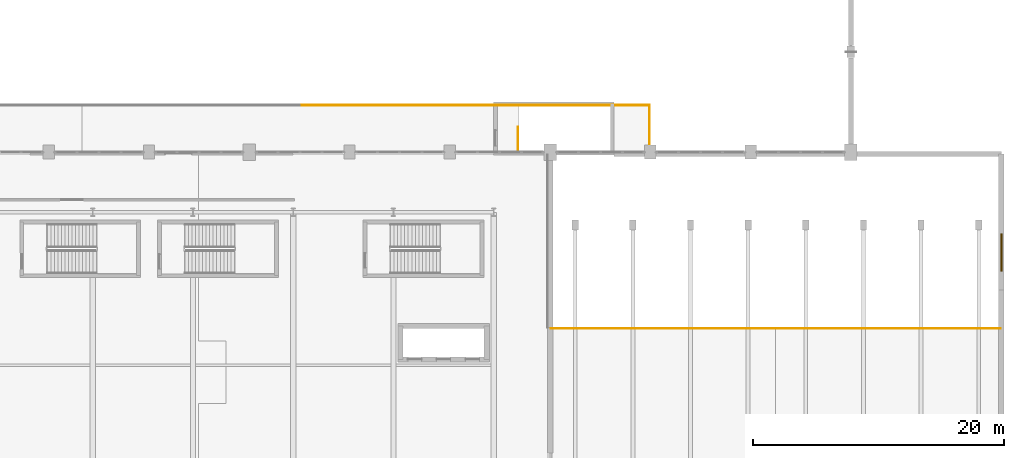
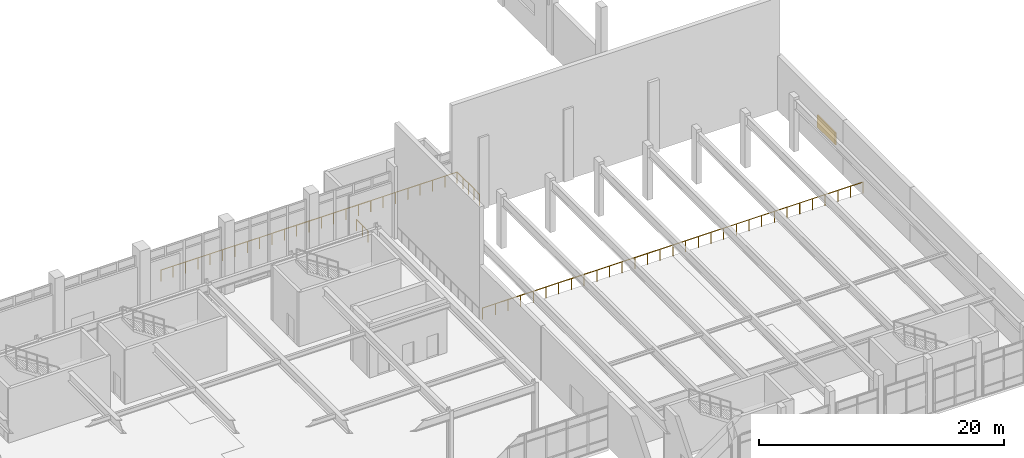
# One storey, part 84 of 84: 3 railings, 1 shading device.
"""IFC4 building model written with IfcOpenShell, lengths in metres."""

from ifc_helpers import new_model, si_unit, direction, frame, origin, origin_2d, place, context, subcontext, project, spatial, rectangle, circle, extrude, material, layer, layer_set, type_object, element, save


model = new_model("IFC4")

# Units and contexts
model_context = context("Model", 3, precision=1e-05, world=origin(), true_north=direction((0.0, 1.0)))
body_context = subcontext(model_context, "Body", "Model", "MODEL_VIEW")
ifc_project = project(units=[si_unit("LENGTHUNIT", "METRE"), si_unit("AREAUNIT", "SQUARE_METRE"), si_unit("VOLUMEUNIT", "CUBIC_METRE"), si_unit("PLANEANGLEUNIT", "RADIAN"), si_unit("MASSUNIT", "GRAM", prefix="KILO")], contexts=[model_context])

# Site, building, storey
site_placement = place(None, origin())
site = spatial("IfcSite", under=ifc_project, at=site_placement, CompositionType="ELEMENT")
building_placement = place(site_placement, origin())
building = spatial("IfcBuilding", under=site, at=building_placement, Name="Tlacozan Convention Centre", CompositionType="ELEMENT")
storey_placement = place(building_placement, frame((0.0, 0.0, 6.0)))
storey = spatial("IfcBuildingStorey", under=building, at=storey_placement, Name="L01", CompositionType="ELEMENT", Elevation=6.0)

# Shading device
ifc_material_1 = material(Name="Dark Bronze Anodised Aluminium", Category="aluminium")
ifc_layer = layer(ifc_material_1, 0.1201171875)
ifc_layer_set = layer_set([ifc_layer], Name="Dark Bronze Anodised Aluminium")
shading_device_type = type_object("IfcShadingDeviceType", Name="Acoustic Plant Louvre Bank", PredefinedType="JALOUSIE", material=ifc_layer_set)
shading_device_placement = place(storey_placement, frame((180.0, 54.0, 2.0), z_axis=(0.0, 0.0, 1.0), x_axis=(0.0, 1.0, 0.0)))
element("IfcShadingDevice", 1, at=shading_device_placement, inside=storey, type_object=shading_device_type, Name="L01 Acoustic Plant Louvre 9", PredefinedType="JALOUSIE", context=body_context, shape_type="SweptSolid", body=[
    extrude(rectangle(XDim=3.0, YDim=0.1201171875, at=origin_2d()), origin(), (0.0, 0.0, 1.0), 1.199951171875),
])

# Railings
ifc_material_2 = material(Name="Architectural Painted Galvanised Steel Railing", Category="steel")
railing_type_1 = type_object("IfcRailingType", Name="Mezzanine Glass Balustrade 1120", PredefinedType="BALUSTRADE", material=ifc_material_2)
railing_1_placement = place(storey_placement, frame((124.0, 65.739990234375, 0.0)))
element("IfcRailing", 2, at=railing_1_placement, inside=storey, type_object=railing_type_1, Name="L01 Viewing Mezzanine Balustrade 5", PredefinedType="BALUSTRADE", context=body_context, shape_type="SweptSolid", body=[
    extrude(circle(Radius=0.02392578125, at=origin_2d()), frame((0.0, 0.0, 1.09619140625), z_axis=(1.0, 0.0, 0.0), x_axis=(0.0, 1.0, 0.0)), (0.0, 0.0, 1.0), 27.93994140625),
    extrude(circle(Radius=0.02392578125, at=origin_2d()), frame((27.93994140625, 0.0, 1.09619140625), z_axis=(0.0, -1.0, 0.0), x_axis=(1.0, 0.0, 0.0)), (0.0, 0.0, 1.0), 3.679931640625),
    extrude(circle(Radius=0.02099609375, at=origin_2d()), origin(), (0.0, 0.0, 1.0), 1.072021484375),
    extrude(circle(Radius=0.02099609375, at=origin_2d()), frame((1.1640625, 0.0, 0.0)), (0.0, 0.0, 1.0), 1.072021484375),
    extrude(circle(Radius=0.02099609375, at=origin_2d()), frame((2.328369140625, 0.0, 0.0)), (0.0, 0.0, 1.0), 1.072021484375),
    extrude(circle(Radius=0.02099609375, at=origin_2d()), frame((3.492431640625, 0.0, 0.0)), (0.0, 0.0, 1.0), 1.072021484375),
    extrude(circle(Radius=0.02099609375, at=origin_2d()), frame((4.65673828125, 0.0, 0.0)), (0.0, 0.0, 1.0), 1.072021484375),
    extrude(circle(Radius=0.02099609375, at=origin_2d()), frame((5.82080078125, 0.0, 0.0)), (0.0, 0.0, 1.0), 1.072021484375),
    extrude(circle(Radius=0.02099609375, at=origin_2d()), frame((6.98486328125, 0.0, 0.0)), (0.0, 0.0, 1.0), 1.072021484375),
    extrude(circle(Radius=0.02099609375, at=origin_2d()), frame((8.149169921875, 0.0, 0.0)), (0.0, 0.0, 1.0), 1.072021484375),
    extrude(circle(Radius=0.02099609375, at=origin_2d()), frame((9.313232421875, 0.0, 0.0)), (0.0, 0.0, 1.0), 1.072021484375),
    extrude(circle(Radius=0.02099609375, at=origin_2d()), frame((10.4775390625, 0.0, 0.0)), (0.0, 0.0, 1.0), 1.072021484375),
    extrude(circle(Radius=0.02099609375, at=origin_2d()), frame((11.6416015625, 0.0, 0.0)), (0.0, 0.0, 1.0), 1.072021484375),
    extrude(circle(Radius=0.02099609375, at=origin_2d()), frame((12.805908203125, 0.0, 0.0)), (0.0, 0.0, 1.0), 1.072021484375),
    extrude(circle(Radius=0.02099609375, at=origin_2d()), frame((13.969970703125, 0.0, 0.0)), (0.0, 0.0, 1.0), 1.072021484375),
    extrude(circle(Radius=0.02099609375, at=origin_2d()), frame((15.134033203125, 0.0, 0.0)), (0.0, 0.0, 1.0), 1.072021484375),
    extrude(circle(Radius=0.02099609375, at=origin_2d()), frame((16.29833984375, 0.0, 0.0)), (0.0, 0.0, 1.0), 1.072021484375),
    extrude(circle(Radius=0.02099609375, at=origin_2d()), frame((17.46240234375, 0.0, 0.0)), (0.0, 0.0, 1.0), 1.072021484375),
    extrude(circle(Radius=0.02099609375, at=origin_2d()), frame((18.626708984375, 0.0, 0.0)), (0.0, 0.0, 1.0), 1.072021484375),
    extrude(circle(Radius=0.02099609375, at=origin_2d()), frame((19.790771484375, 0.0, 0.0)), (0.0, 0.0, 1.0), 1.072021484375),
    extrude(circle(Radius=0.02099609375, at=origin_2d()), frame((20.955078125, 0.0, 0.0)), (0.0, 0.0, 1.0), 1.072021484375),
    extrude(circle(Radius=0.02099609375, at=origin_2d()), frame((22.119140625, 0.0, 0.0)), (0.0, 0.0, 1.0), 1.072021484375),
    extrude(circle(Radius=0.02099609375, at=origin_2d()), frame((23.283203125, 0.0, 0.0)), (0.0, 0.0, 1.0), 1.072021484375),
    extrude(circle(Radius=0.02099609375, at=origin_2d()), frame((24.447509765625, 0.0, 0.0)), (0.0, 0.0, 1.0), 1.072021484375),
    extrude(circle(Radius=0.02099609375, at=origin_2d()), frame((25.611572265625, 0.0, 0.0)), (0.0, 0.0, 1.0), 1.072021484375),
    extrude(circle(Radius=0.02099609375, at=origin_2d()), frame((26.77587890625, 0.0, 0.0)), (0.0, 0.0, 1.0), 1.072021484375),
    extrude(circle(Radius=0.02099609375, at=origin_2d()), frame((27.93994140625, 0.0, 0.0)), (0.0, 0.0, 1.0), 1.072021484375),
    extrude(circle(Radius=0.02099609375, at=origin_2d()), frame((27.93994140625, -0.919921875, 0.0)), (0.0, 0.0, 1.0), 1.072021484375),
    extrude(circle(Radius=0.02099609375, at=origin_2d()), frame((27.93994140625, -1.83984375, 0.0)), (0.0, 0.0, 1.0), 1.072021484375),
    extrude(circle(Radius=0.02099609375, at=origin_2d()), frame((27.93994140625, -2.760009765625, 0.0)), (0.0, 0.0, 1.0), 1.072021484375),
    extrude(circle(Radius=0.02099609375, at=origin_2d()), frame((27.93994140625, -3.679931640625, 0.0)), (0.0, 0.0, 1.0), 1.072021484375),
])
railing_2_placement = place(storey_placement, frame((144.06005859375, 47.93994140625, 0.0)))
element("IfcRailing", 3, at=railing_2_placement, inside=storey, type_object=railing_type_1, Name="L01 Plenary Circle Front Balustrade", PredefinedType="BALUSTRADE", context=body_context, shape_type="SweptSolid", body=[
    extrude(circle(Radius=0.02392578125, at=origin_2d()), frame((0.0, 0.0, 1.09619140625), z_axis=(1.0, 0.0, 0.0), x_axis=(0.0, 1.0, 0.0)), (0.0, 0.0, 1.0), 35.8798828125),
    extrude(circle(Radius=0.02099609375, at=origin_2d()), origin(), (0.0, 0.0, 1.0), 1.072021484375),
    extrude(circle(Radius=0.02099609375, at=origin_2d()), frame((1.196044921875, 0.0, 0.0)), (0.0, 0.0, 1.0), 1.072021484375),
    extrude(circle(Radius=0.02099609375, at=origin_2d()), frame((2.39208984375, 0.0, 0.0)), (0.0, 0.0, 1.0), 1.072021484375),
    extrude(circle(Radius=0.02099609375, at=origin_2d()), frame((3.587890625, 0.0, 0.0)), (0.0, 0.0, 1.0), 1.072021484375),
    extrude(circle(Radius=0.02099609375, at=origin_2d()), frame((4.783935546875, 0.0, 0.0)), (0.0, 0.0, 1.0), 1.072021484375),
    extrude(circle(Radius=0.02099609375, at=origin_2d()), frame((5.97998046875, 0.0, 0.0)), (0.0, 0.0, 1.0), 1.072021484375),
    extrude(circle(Radius=0.02099609375, at=origin_2d()), frame((7.176025390625, 0.0, 0.0)), (0.0, 0.0, 1.0), 1.072021484375),
    extrude(circle(Radius=0.02099609375, at=origin_2d()), frame((8.3720703125, 0.0, 0.0)), (0.0, 0.0, 1.0), 1.072021484375),
    extrude(circle(Radius=0.02099609375, at=origin_2d()), frame((9.56787109375, 0.0, 0.0)), (0.0, 0.0, 1.0), 1.072021484375),
    extrude(circle(Radius=0.02099609375, at=origin_2d()), frame((10.763916015625, 0.0, 0.0)), (0.0, 0.0, 1.0), 1.072021484375),
    extrude(circle(Radius=0.02099609375, at=origin_2d()), frame((11.9599609375, 0.0, 0.0)), (0.0, 0.0, 1.0), 1.072021484375),
    extrude(circle(Radius=0.02099609375, at=origin_2d()), frame((13.156005859375, 0.0, 0.0)), (0.0, 0.0, 1.0), 1.072021484375),
    extrude(circle(Radius=0.02099609375, at=origin_2d()), frame((14.35205078125, 0.0, 0.0)), (0.0, 0.0, 1.0), 1.072021484375),
    extrude(circle(Radius=0.02099609375, at=origin_2d()), frame((15.5478515625, 0.0, 0.0)), (0.0, 0.0, 1.0), 1.072021484375),
    extrude(circle(Radius=0.02099609375, at=origin_2d()), frame((16.743896484375, 0.0, 0.0)), (0.0, 0.0, 1.0), 1.072021484375),
    extrude(circle(Radius=0.02099609375, at=origin_2d()), frame((17.93994140625, 0.0, 0.0)), (0.0, 0.0, 1.0), 1.072021484375),
    extrude(circle(Radius=0.02099609375, at=origin_2d()), frame((19.135986328125, 0.0, 0.0)), (0.0, 0.0, 1.0), 1.072021484375),
    extrude(circle(Radius=0.02099609375, at=origin_2d()), frame((20.33203125, 0.0, 0.0)), (0.0, 0.0, 1.0), 1.072021484375),
    extrude(circle(Radius=0.02099609375, at=origin_2d()), frame((21.52783203125, 0.0, 0.0)), (0.0, 0.0, 1.0), 1.072021484375),
    extrude(circle(Radius=0.02099609375, at=origin_2d()), frame((22.723876953125, 0.0, 0.0)), (0.0, 0.0, 1.0), 1.072021484375),
    extrude(circle(Radius=0.02099609375, at=origin_2d()), frame((23.919921875, 0.0, 0.0)), (0.0, 0.0, 1.0), 1.072021484375),
    extrude(circle(Radius=0.02099609375, at=origin_2d()), frame((25.115966796875, 0.0, 0.0)), (0.0, 0.0, 1.0), 1.072021484375),
    extrude(circle(Radius=0.02099609375, at=origin_2d()), frame((26.31201171875, 0.0, 0.0)), (0.0, 0.0, 1.0), 1.072021484375),
    extrude(circle(Radius=0.02099609375, at=origin_2d()), frame((27.5078125, 0.0, 0.0)), (0.0, 0.0, 1.0), 1.072021484375),
    extrude(circle(Radius=0.02099609375, at=origin_2d()), frame((28.703857421875, 0.0, 0.0)), (0.0, 0.0, 1.0), 1.072021484375),
    extrude(circle(Radius=0.02099609375, at=origin_2d()), frame((29.89990234375, 0.0, 0.0)), (0.0, 0.0, 1.0), 1.072021484375),
    extrude(circle(Radius=0.02099609375, at=origin_2d()), frame((31.095947265625, 0.0, 0.0)), (0.0, 0.0, 1.0), 1.072021484375),
    extrude(circle(Radius=0.02099609375, at=origin_2d()), frame((32.2919921875, 0.0, 0.0)), (0.0, 0.0, 1.0), 1.072021484375),
    extrude(circle(Radius=0.02099609375, at=origin_2d()), frame((33.48779296875, 0.0, 0.0)), (0.0, 0.0, 1.0), 1.072021484375),
    extrude(circle(Radius=0.02099609375, at=origin_2d()), frame((34.683837890625, 0.0, 0.0)), (0.0, 0.0, 1.0), 1.072021484375),
    extrude(circle(Radius=0.02099609375, at=origin_2d()), frame((35.8798828125, 0.0, 0.0)), (0.0, 0.0, 1.0), 1.072021484375),
])
railing_type_2 = type_object("IfcRailingType", Name="Stair Well Guardrail 1100", PredefinedType="GUARDRAIL", material=ifc_material_2)
railing_3_placement = place(storey_placement, frame((141.449951171875, 62.10009765625, 0.0)))
element("IfcRailing", 4, at=railing_3_placement, inside=storey, type_object=railing_type_2, Name="L01 ST-11 top well guard 1", PredefinedType="GUARDRAIL", context=body_context, shape_type="SweptSolid", body=[
    extrude(circle(Radius=0.02392578125, at=origin_2d()), frame((0.0, 0.0, 1.076171875), z_axis=(0.0, 1.0, 0.0), x_axis=(-1.0, 0.0, 0.0)), (0.0, 0.0, 1.0), 1.89990234375),
    extrude(circle(Radius=0.02099609375, at=origin_2d()), origin(), (0.0, 0.0, 1.0), 1.052001953125),
    extrude(circle(Radius=0.02099609375, at=origin_2d()), frame((0.0, 0.949951171875, 0.0)), (0.0, 0.0, 1.0), 1.052001953125),
    extrude(circle(Radius=0.02099609375, at=origin_2d()), frame((0.0, 1.89990234375, 0.0)), (0.0, 0.0, 1.0), 1.052001953125),
])

save(model, "model.ifc")
